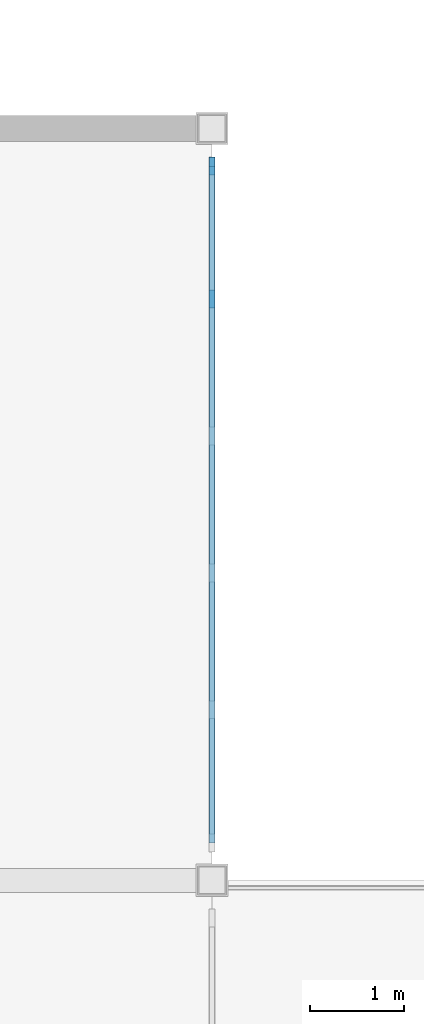
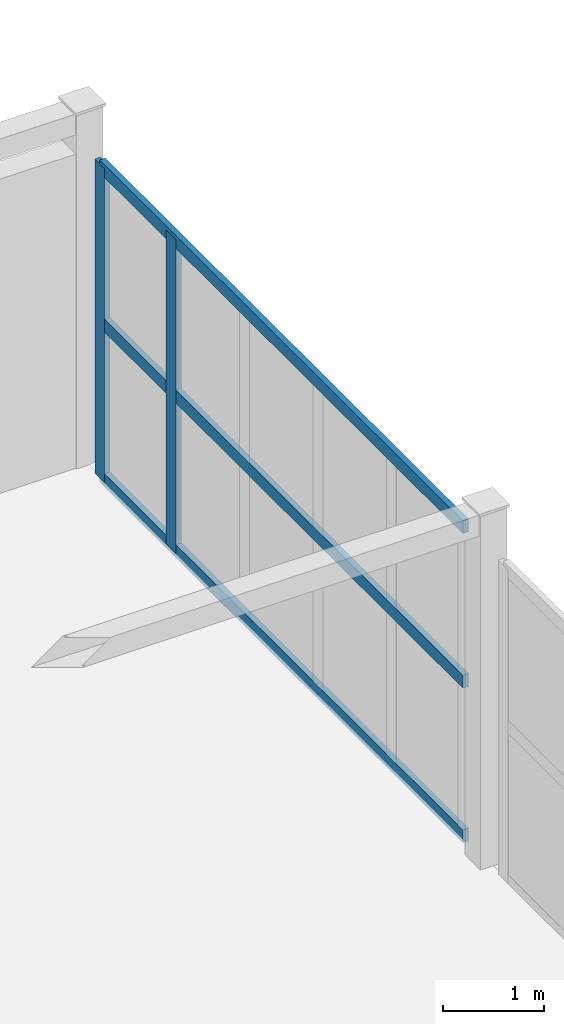
# One storey, part 32 of 83: 5 members, 1 element without a shape of its own.
"""IFC4 building model written with IfcOpenShell, lengths in metres."""

from ifc_helpers import new_model, si_unit, direction, frame, origin, origin_2d, place, context, subcontext, project, spatial, rectangle, extrude, material, material_profile, profile_set, type_object, element, aggregate, save


model = new_model("IFC4")

# Units and contexts
model_context = context("Model", 3, precision=1e-05, world=origin(), true_north=direction((0.0, 1.0)))
body_context = subcontext(model_context, "Body", "Model", "MODEL_VIEW")
ifc_project = project(units=[si_unit("LENGTHUNIT", "METRE"), si_unit("AREAUNIT", "SQUARE_METRE"), si_unit("VOLUMEUNIT", "CUBIC_METRE"), si_unit("PLANEANGLEUNIT", "RADIAN"), si_unit("MASSUNIT", "GRAM", prefix="KILO")], contexts=[model_context])

# Site, building, storey
site_placement = place(None, origin())
site = spatial("IfcSite", under=ifc_project, at=site_placement, CompositionType="ELEMENT")
building_placement = place(site_placement, origin())
building = spatial("IfcBuilding", under=site, at=building_placement, Name="Drelvath Fold Interchange", CompositionType="ELEMENT")
storey_placement = place(building_placement, frame((0.0, 0.0, 11.199951171875)))
storey = spatial("IfcBuildingStorey", under=building, at=storey_placement, Name="L02", CompositionType="ELEMENT", Elevation=11.199951171875)

# Curtain wall, members
ifc_material = material(Name="Anodized Aluminium 6063-T6", Category="aluminium")
curtain_wall_type = type_object("IfcCurtainWallType", Name="CW-CON-440", PredefinedType="USERDEFINED", material=ifc_material)
curtain_wall_placement = place(storey_placement, origin())
curtain_wall = element("IfcCurtainWall", 1, at=curtain_wall_placement, inside=storey, type_object=curtain_wall_type, Name="Curtain wall CW-V1E-L02-Y91", ObjectType="UNITISED CURTAIN WALL", PredefinedType="USERDEFINED")
ifc_material_profile_1 = material_profile(ifc_material, rectangle(XDim=0.06494140625, YDim=0.18994140625, at=origin_2d()), Name="AL-M 65x190")
ifc_profile_set_1 = profile_set([ifc_material_profile_1], Name="Anodized Aluminium 6063-T6")
member_type_1 = type_object("IfcMemberType", Name="ML-190", PredefinedType="MULLION", material=ifc_profile_set_1)
member_1_placement = place(storey_placement, frame((84.0, 97.18408203125, 0.0), z_axis=(0.0, 0.0, 1.0), x_axis=(1.0, 0.0, 0.0)))
member_1 = element("IfcMember", 2, at=member_1_placement, type_object=member_type_1, Name="CW-V1E-L02-Y91 mullion 4", PredefinedType="MULLION", context=body_context, shape_type="SweptSolid", body=[
    extrude(rectangle(XDim=0.06494140625, YDim=0.18994140625, at=origin_2d()), origin(), (0.0, 0.0, 1.0), 3.800048828125),
])
member_2_placement = place(storey_placement, frame((84.0, 98.60009765625, 0.0), z_axis=(0.0, 0.0, 1.0), x_axis=(1.0, 0.0, 0.0)))
member_2 = element("IfcMember", 3, at=member_2_placement, type_object=member_type_1, Name="CW-V1E-L02-Y91 mullion 5", PredefinedType="MULLION", context=body_context, shape_type="SweptSolid", body=[
    extrude(rectangle(XDim=0.06494140625, YDim=0.18994140625, at=origin_2d()), origin(), (0.0, 0.0, 1.0), 3.800048828125),
])
ifc_material_profile_2 = material_profile(ifc_material, rectangle(XDim=0.06494140625, YDim=0.155029296875, at=origin_2d()), Name="AL-T 65x155")
ifc_profile_set_2 = profile_set([ifc_material_profile_2], Name="Anodized Aluminium 6063-T6")
member_type_2 = type_object("IfcMemberType", Name="TR-155", PredefinedType="USERDEFINED", material=ifc_profile_set_2)
member_3_placement = place(storey_placement, frame((84.0, 91.39990234375, 0.030029296875), z_axis=(0.0, 1.0, 0.0), x_axis=(-1.0, 0.0, 0.0)))
member_3 = element("IfcMember", 4, at=member_3_placement, type_object=member_type_2, Name="CW-V1E-L02-Y91 transom 0", ObjectType="TRANSOM", PredefinedType="USERDEFINED", context=body_context, shape_type="SweptSolid", body=[
    extrude(rectangle(XDim=0.06494140625, YDim=0.155029296875, at=origin_2d()), origin(), (0.0, 0.0, 1.0), 7.2001953125),
])
member_4_placement = place(storey_placement, frame((84.0, 91.39990234375, 1.900146484375), z_axis=(0.0, 1.0, 0.0), x_axis=(-1.0, 0.0, 0.0)))
member_4 = element("IfcMember", 5, at=member_4_placement, type_object=member_type_2, Name="CW-V1E-L02-Y91 transom 1", ObjectType="TRANSOM", PredefinedType="USERDEFINED", context=body_context, shape_type="SweptSolid", body=[
    extrude(rectangle(XDim=0.06494140625, YDim=0.155029296875, at=origin_2d()), origin(), (0.0, 0.0, 1.0), 7.2001953125),
])
member_5_placement = place(storey_placement, frame((84.0, 91.39990234375, 3.77001953125), z_axis=(0.0, 1.0, 0.0), x_axis=(-1.0, 0.0, 0.0)))
member_5 = element("IfcMember", 6, at=member_5_placement, type_object=member_type_2, Name="CW-V1E-L02-Y91 transom 2", ObjectType="TRANSOM", PredefinedType="USERDEFINED", context=body_context, shape_type="SweptSolid", body=[
    extrude(rectangle(XDim=0.06494140625, YDim=0.155029296875, at=origin_2d()), origin(), (0.0, 0.0, 1.0), 7.2001953125),
])
aggregate(curtain_wall, [member_1, member_2, member_3, member_4, member_5])

save(model, "model.ifc")
